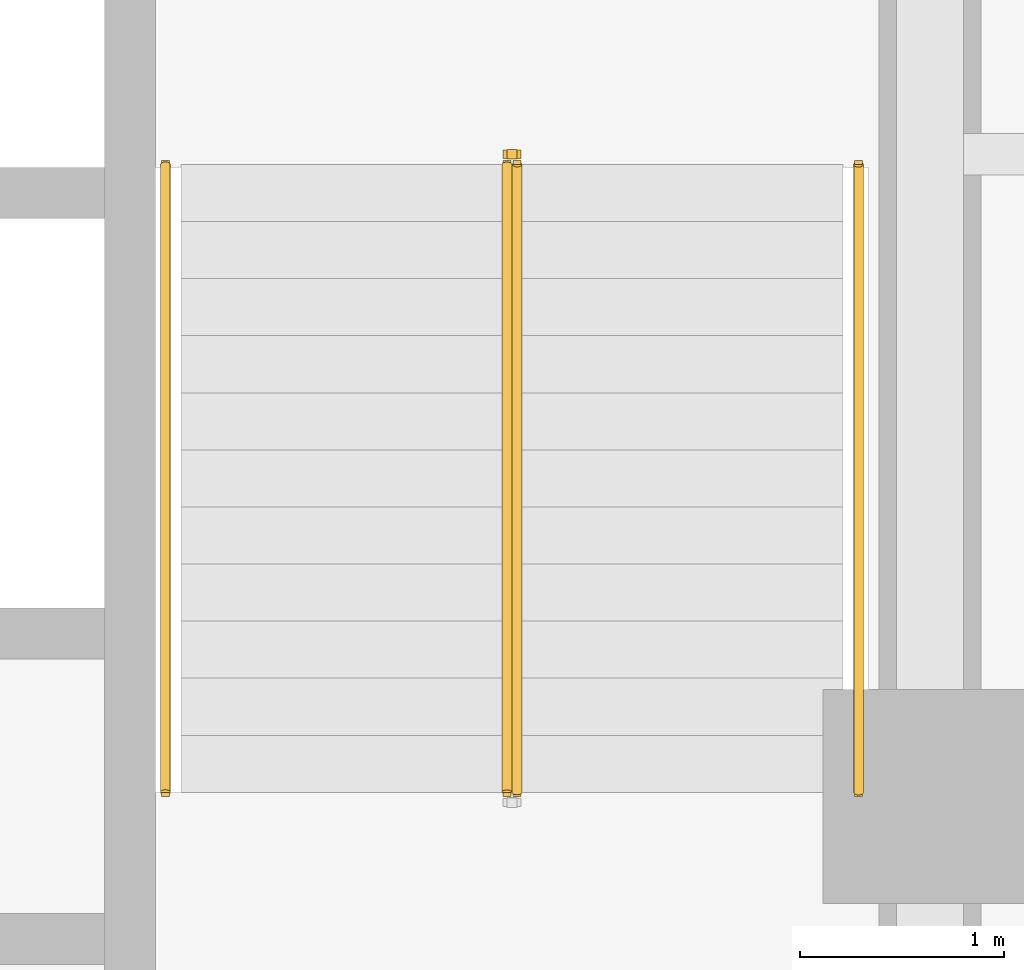
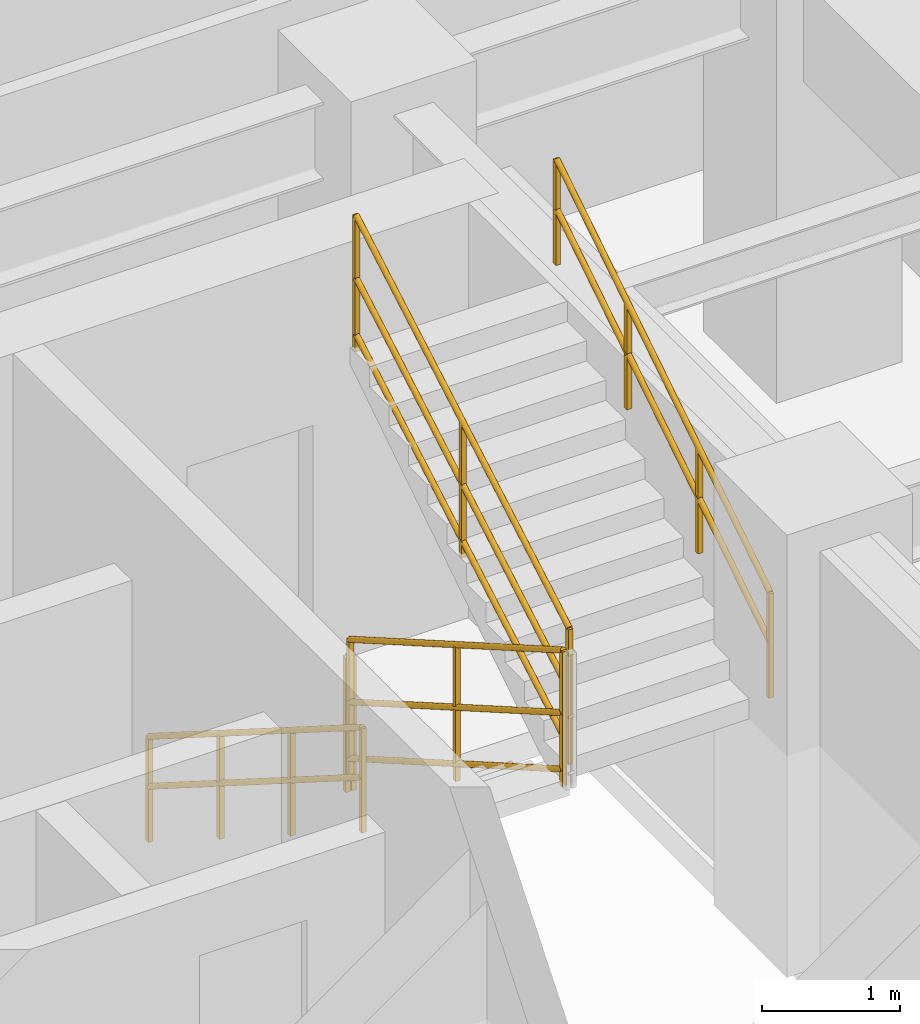
# One storey, part 8 of 9: 5 railings.
"""IFC4 building model written with IfcOpenShell, lengths in metres."""

from ifc_helpers import new_model, entity, si_unit, converted_unit, direction, frame, origin_with_axes, origin_2d_with_axis, place, context, subcontext, project, spatial, rectangle, circle, extrude, material, type_object, element, save


model = new_model("IFC4")

# Units and contexts
model_context = context("Model", 3, precision=1e-05, world=origin_with_axes(), true_north=direction((0.0, 1.0)))
body_context = subcontext(model_context, "Body", "Model", "MODEL_VIEW")
ifc_project = project(units=[si_unit("LENGTHUNIT", "METRE"), si_unit("AREAUNIT", "SQUARE_METRE"), si_unit("VOLUMEUNIT", "CUBIC_METRE"), converted_unit("PLANEANGLEUNIT", "DEGREE", entity("IfcPlaneAngleMeasure", 0.017453292519943295), si_unit("PLANEANGLEUNIT", "RADIAN"), dimensions=[0, 0, 0, 0, 0, 0, 0]), si_unit("MASSUNIT", "GRAM", prefix="KILO"), si_unit("THERMODYNAMICTEMPERATUREUNIT", "KELVIN")], contexts=[model_context])

# Site, building, storey
site_placement = place(None, origin_with_axes())
site = spatial("IfcSite", under=ifc_project, at=site_placement, CompositionType="ELEMENT")
building_placement = place(site_placement, origin_with_axes())
building = spatial("IfcBuilding", under=site, at=building_placement, Name="Varnlund Millrace Tower", CompositionType="ELEMENT")
storey_placement = place(building_placement, frame((0.0, 0.0, 140.7), z_axis=(0.0, 0.0, 1.0), x_axis=(1.0, 0.0, 0.0)))
storey = spatial("IfcBuildingStorey", under=building, at=storey_placement, Name="L34", CompositionType="ELEMENT", Elevation=140.7)

# Railings
ifc_material_1 = material(Name="Painted steel stair well balustrade guard", Category="steel")
railing_type_1 = type_object("IfcRailingType", Name="Type-StairGuard-1150", PredefinedType="GUARDRAIL", material=ifc_material_1)
railing_1_placement = place(storey_placement, frame((0.0, 0.0, -140.7), z_axis=(0.0, 0.0, 1.0), x_axis=(1.0, 0.0, 0.0)))
element("IfcRailing", 1, at=railing_1_placement, inside=storey, type_object=railing_type_1, Name="Type-StairGuard-1150", PredefinedType="GUARDRAIL", context=body_context, shape_type="SweptSolid", body=[
    extrude(circle(Radius=0.024, at=origin_2d_with_axis()), frame((45.975, 21.1, 142.027273), z_axis=(0.0, -0.866696, 0.498836), x_axis=(1.0, 0.0, 0.0)), (0.0, 0.0, 1.0), 3.553725),
    extrude(circle(Radius=0.024, at=origin_2d_with_axis()), frame((45.975, 21.1, 140.977273), z_axis=(0.0, -0.866696, 0.498836), x_axis=(1.0, 0.0, 0.0)), (0.0, 0.0, 1.0), 3.553725),
    extrude(circle(Radius=0.024, at=origin_2d_with_axis()), frame((45.975, 21.1, 141.475273), z_axis=(0.0, -0.866696, 0.498836), x_axis=(1.0, 0.0, 0.0)), (0.0, 0.0, 1.0), 3.553725),
    extrude(rectangle(XDim=0.04, YDim=0.04, at=origin_2d_with_axis()), frame((45.975, 21.1, 140.837273), z_axis=(0.0, 0.0, 1.0), x_axis=(1.0, 0.0, 0.0)), (0.0, 0.0, 1.0), 1.19),
    extrude(rectangle(XDim=0.04, YDim=0.04, at=origin_2d_with_axis()), frame((45.975, 19.56, 141.723637), z_axis=(0.0, 0.0, 1.0), x_axis=(1.0, 0.0, 0.0)), (0.0, 0.0, 1.0), 1.19),
    extrude(rectangle(XDim=0.04, YDim=0.04, at=origin_2d_with_axis()), frame((45.975, 18.02, 142.61), z_axis=(0.0, 0.0, 1.0), x_axis=(1.0, 0.0, 0.0)), (0.0, 0.0, 1.0), 1.19),
])
railing_2_placement = place(storey_placement, frame((0.0, 0.0, -140.7), z_axis=(0.0, 0.0, 1.0), x_axis=(1.0, 0.0, 0.0)))
element("IfcRailing", 2, at=railing_2_placement, inside=storey, type_object=railing_type_1, Name="Type-StairGuard-1150", PredefinedType="GUARDRAIL", context=body_context, shape_type="SweptSolid", body=[
    extrude(circle(Radius=0.024, at=origin_2d_with_axis()), frame((46.025, 18.02, 143.977273), z_axis=(0.0, 0.866696, 0.498836), x_axis=(-1.0, 0.0, 0.0)), (0.0, 0.0, 1.0), 3.553725),
    extrude(circle(Radius=0.024, at=origin_2d_with_axis()), frame((46.025, 18.02, 142.927273), z_axis=(0.0, 0.866696, 0.498836), x_axis=(-1.0, 0.0, 0.0)), (0.0, 0.0, 1.0), 3.553725),
    extrude(circle(Radius=0.024, at=origin_2d_with_axis()), frame((46.025, 18.02, 143.425273), z_axis=(0.0, 0.866696, 0.498836), x_axis=(-1.0, 0.0, 0.0)), (0.0, 0.0, 1.0), 3.553725),
    extrude(rectangle(XDim=0.04, YDim=0.04, at=origin_2d_with_axis()), frame((46.025, 18.02, 142.787273), z_axis=(0.0, 0.0, 1.0), x_axis=(1.0, 0.0, 0.0)), (0.0, 0.0, 1.0), 1.19),
    extrude(rectangle(XDim=0.04, YDim=0.04, at=origin_2d_with_axis()), frame((46.025, 19.56, 143.673637), z_axis=(0.0, 0.0, 1.0), x_axis=(1.0, 0.0, 0.0)), (0.0, 0.0, 1.0), 1.19),
    extrude(rectangle(XDim=0.04, YDim=0.04, at=origin_2d_with_axis()), frame((46.025, 21.1, 144.56), z_axis=(0.0, 0.0, 1.0), x_axis=(1.0, 0.0, 0.0)), (0.0, 0.0, 1.0), 1.19),
])
railing_3_placement = place(storey_placement, frame((0.0, 0.0, -140.7), z_axis=(0.0, 0.0, 1.0), x_axis=(1.0, 0.0, 0.0)))
element("IfcRailing", 3, at=railing_3_placement, inside=storey, type_object=railing_type_1, Name="Type-StairGuard-1150", PredefinedType="GUARDRAIL", context=body_context, shape_type="SweptSolid", body=[
    extrude(circle(Radius=0.024, at=origin_2d_with_axis()), frame((46.025, 21.15, 141.85), z_axis=(-1.0, 0.0, 0.0), x_axis=(0.0, -1.0, 0.0)), (0.0, 0.0, 1.0), 0.05),
    extrude(circle(Radius=0.024, at=origin_2d_with_axis()), frame((46.025, 21.15, 140.8), z_axis=(-1.0, 0.0, 0.0), x_axis=(0.0, -1.0, 0.0)), (0.0, 0.0, 1.0), 0.05),
    extrude(circle(Radius=0.024, at=origin_2d_with_axis()), frame((46.025, 21.15, 141.298), z_axis=(-1.0, 0.0, 0.0), x_axis=(0.0, -1.0, 0.0)), (0.0, 0.0, 1.0), 0.05),
    extrude(rectangle(XDim=0.04, YDim=0.04, at=origin_2d_with_axis()), frame((46.025, 21.15, 140.66), z_axis=(0.0, 0.0, 1.0), x_axis=(1.0, 0.0, 0.0)), (0.0, 0.0, 1.0), 1.19),
    extrude(rectangle(XDim=0.04, YDim=0.04, at=origin_2d_with_axis()), frame((45.975, 21.15, 140.66), z_axis=(0.0, 0.0, 1.0), x_axis=(1.0, 0.0, 0.0)), (0.0, 0.0, 1.0), 1.19),
])
ifc_material_2 = material(Name="Brushed architectural bronze stair handrail", Category="aluminium")
railing_type_2 = type_object("IfcRailingType", Name="Type-StairHandrail-900", PredefinedType="HANDRAIL", material=ifc_material_2)
railing_4_placement = place(storey_placement, frame((0.0, 0.0, -140.7), z_axis=(0.0, 0.0, 1.0), x_axis=(1.0, 0.0, 0.0)))
element("IfcRailing", 4, at=railing_4_placement, inside=storey, type_object=railing_type_2, Name="Type-StairHandrail-900", PredefinedType="HANDRAIL", context=body_context, shape_type="SweptSolid", body=[
    extrude(circle(Radius=0.024, at=origin_2d_with_axis()), frame((44.3, 21.1, 141.756995), z_axis=(0.0, -0.844902, 0.534922), x_axis=(1.0, 0.0, 0.0)), (0.0, 0.0, 1.0), 3.645394),
    extrude(circle(Radius=0.024, at=origin_2d_with_axis()), frame((44.3, 21.1, 141.317134), z_axis=(0.0, -0.844902, 0.534922), x_axis=(1.0, 0.0, 0.0)), (0.0, 0.0, 1.0), 3.645394),
    extrude(rectangle(XDim=0.04, YDim=0.04, at=origin_2d_with_axis()), frame((44.3, 21.1, 140.837273), z_axis=(0.0, 0.0, 1.0), x_axis=(1.0, 0.0, 0.0)), (0.0, 0.0, 1.0), 0.919722),
    extrude(rectangle(XDim=0.04, YDim=0.04, at=origin_2d_with_axis()), frame((44.3, 20.073333, 141.487273), z_axis=(0.0, 0.0, 1.0), x_axis=(1.0, 0.0, 0.0)), (0.0, 0.0, 1.0), 0.919722),
    extrude(rectangle(XDim=0.04, YDim=0.04, at=origin_2d_with_axis()), frame((44.3, 19.046667, 142.137273), z_axis=(0.0, 0.0, 1.0), x_axis=(1.0, 0.0, 0.0)), (0.0, 0.0, 1.0), 0.919722),
    extrude(rectangle(XDim=0.04, YDim=0.04, at=origin_2d_with_axis()), frame((44.3, 18.02, 142.787273), z_axis=(0.0, 0.0, 1.0), x_axis=(1.0, 0.0, 0.0)), (0.0, 0.0, 1.0), 0.919722),
])
railing_5_placement = place(storey_placement, frame((0.0, 0.0, -140.7), z_axis=(0.0, 0.0, 1.0), x_axis=(1.0, 0.0, 0.0)))
element("IfcRailing", 5, at=railing_5_placement, inside=storey, type_object=railing_type_2, Name="Type-StairHandrail-900", PredefinedType="HANDRAIL", context=body_context, shape_type="SweptSolid", body=[
    extrude(circle(Radius=0.024, at=origin_2d_with_axis()), frame((47.7, 18.02, 143.706995), z_axis=(0.0, 0.844902, 0.534922), x_axis=(-1.0, 0.0, 0.0)), (0.0, 0.0, 1.0), 3.645394),
    extrude(circle(Radius=0.024, at=origin_2d_with_axis()), frame((47.7, 18.02, 143.267134), z_axis=(0.0, 0.844902, 0.534922), x_axis=(-1.0, 0.0, 0.0)), (0.0, 0.0, 1.0), 3.645394),
    extrude(rectangle(XDim=0.04, YDim=0.04, at=origin_2d_with_axis()), frame((47.7, 18.02, 142.787273), z_axis=(0.0, 0.0, 1.0), x_axis=(1.0, 0.0, 0.0)), (0.0, 0.0, 1.0), 0.919722),
    extrude(rectangle(XDim=0.04, YDim=0.04, at=origin_2d_with_axis()), frame((47.7, 19.046667, 143.437273), z_axis=(0.0, 0.0, 1.0), x_axis=(1.0, 0.0, 0.0)), (0.0, 0.0, 1.0), 0.919722),
    extrude(rectangle(XDim=0.04, YDim=0.04, at=origin_2d_with_axis()), frame((47.7, 20.073333, 144.087273), z_axis=(0.0, 0.0, 1.0), x_axis=(1.0, 0.0, 0.0)), (0.0, 0.0, 1.0), 0.919722),
    extrude(rectangle(XDim=0.04, YDim=0.04, at=origin_2d_with_axis()), frame((47.7, 21.1, 144.737273), z_axis=(0.0, 0.0, 1.0), x_axis=(1.0, 0.0, 0.0)), (0.0, 0.0, 1.0), 0.919722),
])

save(model, "model.ifc")
